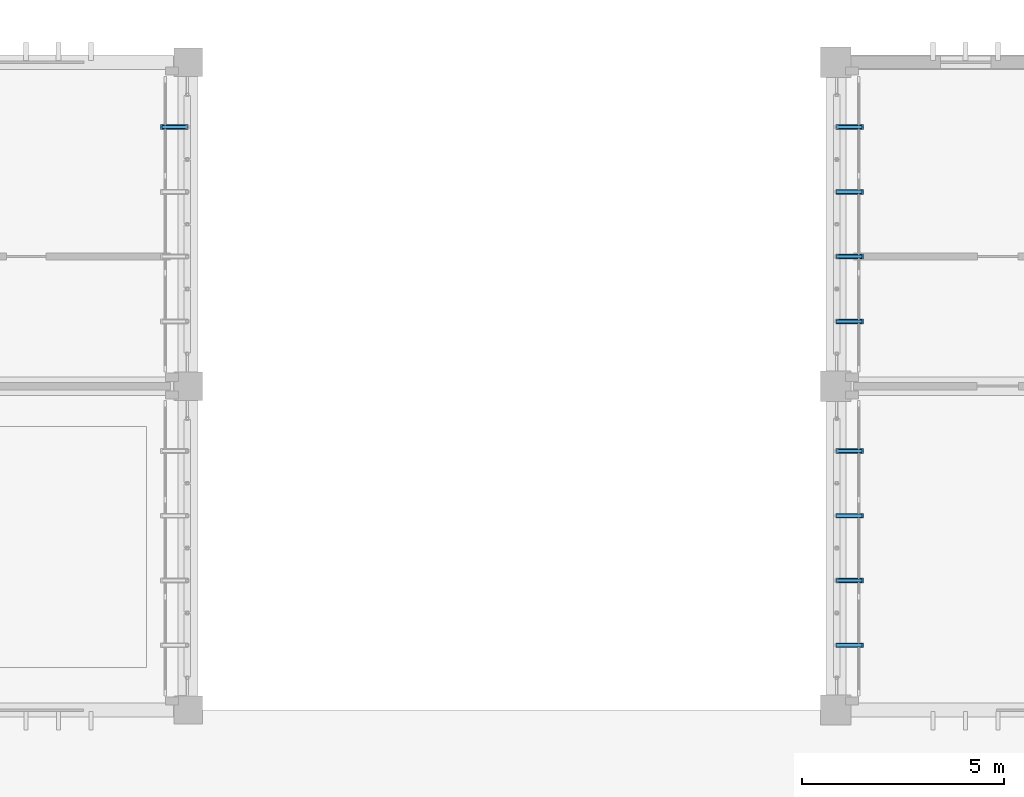
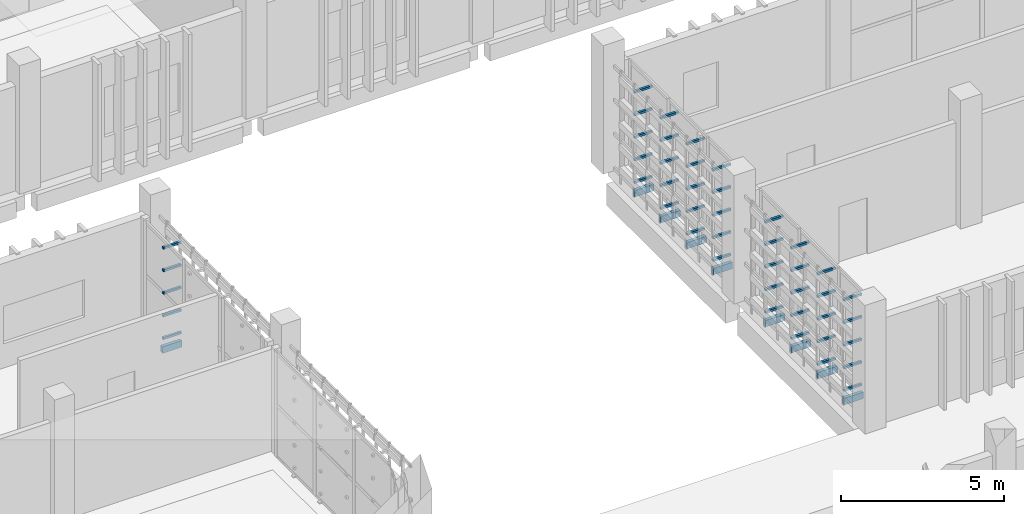
# One storey, part 102 of 117: 54 discrete accessories.
"""IFC4 building model written with IfcOpenShell, lengths in metres."""

from ifc_helpers import new_model, si_unit, direction, frame, origin, origin_2d, place, context, subcontext, project, spatial, rectangle, extrude, material, type_object, element, save


model = new_model("IFC4")

# Units and contexts
model_context = context("Model", 3, precision=1e-05, world=origin(), true_north=direction((0.0, 1.0)))
body_context = subcontext(model_context, "Body", "Model", "MODEL_VIEW")
ifc_project = project(units=[si_unit("LENGTHUNIT", "METRE"), si_unit("AREAUNIT", "SQUARE_METRE"), si_unit("VOLUMEUNIT", "CUBIC_METRE"), si_unit("PLANEANGLEUNIT", "RADIAN"), si_unit("MASSUNIT", "GRAM", prefix="KILO")], contexts=[model_context])

# Site, building, storey
site_placement = place(None, origin())
site = spatial("IfcSite", under=ifc_project, at=site_placement, CompositionType="ELEMENT")
building_placement = place(site_placement, origin())
building = spatial("IfcBuilding", under=site, at=building_placement, Name="Jelvoka-Kovrelna Polytechnic", CompositionType="ELEMENT")
storey_placement = place(building_placement, origin())
storey = spatial("IfcBuildingStorey", under=building, at=storey_placement, Name="L01", CompositionType="ELEMENT", Elevation=0.0)

# Discrete accessories
ifc_material = material(Name="Structural steel S355JR", Category="steel")
discrete_accessory_type = type_object("IfcDiscreteAccessoryType", Name="Bracket_Outrigger_S355", PredefinedType="BRACKET", material=ifc_material)
discrete_accessory_1_placement = place(storey_placement, frame((111.679931640625, 46.39990234375, 0.280029296875), z_axis=(0.0, 0.0, 1.0), x_axis=(1.0, 0.0, 0.0)))
element("IfcDiscreteAccessory", 1, at=discrete_accessory_1_placement, inside=storey, type_object=discrete_accessory_type, Name="L01 screen outrigger tie bracket BRKM-PLT-SCR-0196", PredefinedType="BRACKET", context=body_context, shape_type="SweptSolid", body=[
    extrude(rectangle(XDim=0.639892578125, YDim=0.080078125, at=origin_2d()), origin(), (0.0, 0.0, 1.0), 0.080078125),
])
discrete_accessory_2_placement = place(storey_placement, frame((111.659912109375, 46.39990234375, -0.2001953125), z_axis=(0.0, 0.0, 1.0), x_axis=(1.0, 0.0, 0.0)))
element("IfcDiscreteAccessory", 2, at=discrete_accessory_2_placement, inside=storey, type_object=discrete_accessory_type, Name="L01 screen outrigger tie bracket BRK-PLT-SCR-0196", PredefinedType="BRACKET", context=body_context, shape_type="SweptSolid", body=[
    extrude(rectangle(XDim=0.679931640625, YDim=0.1201171875, at=origin_2d()), origin(), (0.0, 0.0, 1.0), 0.239990234375),
])
for number, where, z_axis, x_axis, name in (
    (3, (111.679931640625, 46.39990234375, 1.12255859375), (0.0, 0.0, 1.0), (1.0, 0.0, 0.0), "L01 screen outrigger tie bracket BRKM-PLT-SCR-0197"),
    (4, (111.679931640625, 46.39990234375, 1.96484375), (0.0, 0.0, 1.0), (1.0, 0.0, 0.0), "L01 screen outrigger tie bracket BRKM-PLT-SCR-0198"),
    (5, (111.679931640625, 46.39990234375, 2.807373046875), (0.0, 0.0, 1.0), (1.0, 0.0, 0.0), "L01 screen outrigger tie bracket BRKM-PLT-SCR-0199"),
    (6, (111.679931640625, 46.39990234375, 3.64990234375), (0.0, 0.0, 1.0), (1.0, 0.0, 0.0), "L01 screen outrigger tie bracket BRKM-PLT-SCR-0200"),
    (7, (128.320068359375, 33.60009765625, 0.280029296875), (0.0, 0.0, 1.0), (1.0, 0.0, 0.0), "L01 screen outrigger tie bracket BRKM-PLT-SCR-0421"),
):
    element("IfcDiscreteAccessory", number, at=place(storey_placement, frame(where, z_axis=z_axis, x_axis=x_axis)), inside=storey, type_object=discrete_accessory_type, Name=name, PredefinedType="BRACKET", context=body_context, shape_type="SweptSolid", body=[
        extrude(rectangle(XDim=0.639892578125, YDim=0.080078125, at=origin_2d()), origin(), (0.0, 0.0, 1.0), 0.080078125),
    ])
discrete_accessory_3_placement = place(storey_placement, frame((128.340087890625, 33.60009765625, -0.2001953125), z_axis=(0.0, 0.0, 1.0), x_axis=(1.0, 0.0, 0.0)))
element("IfcDiscreteAccessory", 8, at=discrete_accessory_3_placement, inside=storey, type_object=discrete_accessory_type, Name="L01 screen outrigger tie bracket BRK-PLT-SCR-0421", PredefinedType="BRACKET", context=body_context, shape_type="SweptSolid", body=[
    extrude(rectangle(XDim=0.679931640625, YDim=0.1201171875, at=origin_2d()), origin(), (0.0, 0.0, 1.0), 0.239990234375),
])
for number, where, z_axis, x_axis, name in (
    (9, (128.320068359375, 33.60009765625, 1.12255859375), (0.0, 0.0, 1.0), (1.0, 0.0, 0.0), "L01 screen outrigger tie bracket BRKM-PLT-SCR-0422"),
    (10, (128.320068359375, 33.60009765625, 1.96484375), (0.0, 0.0, 1.0), (1.0, 0.0, 0.0), "L01 screen outrigger tie bracket BRKM-PLT-SCR-0423"),
    (11, (128.320068359375, 33.60009765625, 2.807373046875), (0.0, 0.0, 1.0), (1.0, 0.0, 0.0), "L01 screen outrigger tie bracket BRKM-PLT-SCR-0424"),
    (12, (128.320068359375, 33.60009765625, 3.64990234375), (0.0, 0.0, 1.0), (1.0, 0.0, 0.0), "L01 screen outrigger tie bracket BRKM-PLT-SCR-0425"),
    (13, (128.320068359375, 35.199951171875, 0.280029296875), (0.0, 0.0, 1.0), (1.0, 0.0, 0.0), "L01 screen outrigger tie bracket BRKM-PLT-SCR-0426"),
):
    element("IfcDiscreteAccessory", number, at=place(storey_placement, frame(where, z_axis=z_axis, x_axis=x_axis)), inside=storey, type_object=discrete_accessory_type, Name=name, PredefinedType="BRACKET", context=body_context, shape_type="SweptSolid", body=[
        extrude(rectangle(XDim=0.639892578125, YDim=0.080078125, at=origin_2d()), origin(), (0.0, 0.0, 1.0), 0.080078125),
    ])
discrete_accessory_4_placement = place(storey_placement, frame((128.340087890625, 35.199951171875, -0.2001953125), z_axis=(0.0, 0.0, 1.0), x_axis=(1.0, 0.0, 0.0)))
element("IfcDiscreteAccessory", 14, at=discrete_accessory_4_placement, inside=storey, type_object=discrete_accessory_type, Name="L01 screen outrigger tie bracket BRK-PLT-SCR-0426", PredefinedType="BRACKET", context=body_context, shape_type="SweptSolid", body=[
    extrude(rectangle(XDim=0.679931640625, YDim=0.1201171875, at=origin_2d()), origin(), (0.0, 0.0, 1.0), 0.239990234375),
])
for number, where, z_axis, x_axis, name in (
    (15, (128.320068359375, 35.199951171875, 1.12255859375), (0.0, 0.0, 1.0), (1.0, 0.0, 0.0), "L01 screen outrigger tie bracket BRKM-PLT-SCR-0427"),
    (16, (128.320068359375, 35.199951171875, 1.96484375), (0.0, 0.0, 1.0), (1.0, 0.0, 0.0), "L01 screen outrigger tie bracket BRKM-PLT-SCR-0428"),
    (17, (128.320068359375, 35.199951171875, 2.807373046875), (0.0, 0.0, 1.0), (1.0, 0.0, 0.0), "L01 screen outrigger tie bracket BRKM-PLT-SCR-0429"),
    (18, (128.320068359375, 35.199951171875, 3.64990234375), (0.0, 0.0, 1.0), (1.0, 0.0, 0.0), "L01 screen outrigger tie bracket BRKM-PLT-SCR-0430"),
    (19, (128.320068359375, 36.800048828125, 0.280029296875), (0.0, 0.0, 1.0), (1.0, 0.0, 0.0), "L01 screen outrigger tie bracket BRKM-PLT-SCR-0431"),
):
    element("IfcDiscreteAccessory", number, at=place(storey_placement, frame(where, z_axis=z_axis, x_axis=x_axis)), inside=storey, type_object=discrete_accessory_type, Name=name, PredefinedType="BRACKET", context=body_context, shape_type="SweptSolid", body=[
        extrude(rectangle(XDim=0.639892578125, YDim=0.080078125, at=origin_2d()), origin(), (0.0, 0.0, 1.0), 0.080078125),
    ])
discrete_accessory_5_placement = place(storey_placement, frame((128.340087890625, 36.800048828125, -0.2001953125), z_axis=(0.0, 0.0, 1.0), x_axis=(1.0, 0.0, 0.0)))
element("IfcDiscreteAccessory", 20, at=discrete_accessory_5_placement, inside=storey, type_object=discrete_accessory_type, Name="L01 screen outrigger tie bracket BRK-PLT-SCR-0431", PredefinedType="BRACKET", context=body_context, shape_type="SweptSolid", body=[
    extrude(rectangle(XDim=0.679931640625, YDim=0.1201171875, at=origin_2d()), origin(), (0.0, 0.0, 1.0), 0.239990234375),
])
for number, where, z_axis, x_axis, name in (
    (21, (128.320068359375, 36.800048828125, 1.12255859375), (0.0, 0.0, 1.0), (1.0, 0.0, 0.0), "L01 screen outrigger tie bracket BRKM-PLT-SCR-0432"),
    (22, (128.320068359375, 36.800048828125, 1.96484375), (0.0, 0.0, 1.0), (1.0, 0.0, 0.0), "L01 screen outrigger tie bracket BRKM-PLT-SCR-0433"),
    (23, (128.320068359375, 36.800048828125, 2.807373046875), (0.0, 0.0, 1.0), (1.0, 0.0, 0.0), "L01 screen outrigger tie bracket BRKM-PLT-SCR-0434"),
    (24, (128.320068359375, 36.800048828125, 3.64990234375), (0.0, 0.0, 1.0), (1.0, 0.0, 0.0), "L01 screen outrigger tie bracket BRKM-PLT-SCR-0435"),
    (25, (128.320068359375, 38.39990234375, 0.280029296875), (0.0, 0.0, 1.0), (1.0, 0.0, 0.0), "L01 screen outrigger tie bracket BRKM-PLT-SCR-0436"),
):
    element("IfcDiscreteAccessory", number, at=place(storey_placement, frame(where, z_axis=z_axis, x_axis=x_axis)), inside=storey, type_object=discrete_accessory_type, Name=name, PredefinedType="BRACKET", context=body_context, shape_type="SweptSolid", body=[
        extrude(rectangle(XDim=0.639892578125, YDim=0.080078125, at=origin_2d()), origin(), (0.0, 0.0, 1.0), 0.080078125),
    ])
discrete_accessory_6_placement = place(storey_placement, frame((128.340087890625, 38.39990234375, -0.2001953125), z_axis=(0.0, 0.0, 1.0), x_axis=(1.0, 0.0, 0.0)))
element("IfcDiscreteAccessory", 26, at=discrete_accessory_6_placement, inside=storey, type_object=discrete_accessory_type, Name="L01 screen outrigger tie bracket BRK-PLT-SCR-0436", PredefinedType="BRACKET", context=body_context, shape_type="SweptSolid", body=[
    extrude(rectangle(XDim=0.679931640625, YDim=0.1201171875, at=origin_2d()), origin(), (0.0, 0.0, 1.0), 0.239990234375),
])
for number, where, z_axis, x_axis, name in (
    (27, (128.320068359375, 38.39990234375, 1.12255859375), (0.0, 0.0, 1.0), (1.0, 0.0, 0.0), "L01 screen outrigger tie bracket BRKM-PLT-SCR-0437"),
    (28, (128.320068359375, 38.39990234375, 1.96484375), (0.0, 0.0, 1.0), (1.0, 0.0, 0.0), "L01 screen outrigger tie bracket BRKM-PLT-SCR-0438"),
    (29, (128.320068359375, 38.39990234375, 2.807373046875), (0.0, 0.0, 1.0), (1.0, 0.0, 0.0), "L01 screen outrigger tie bracket BRKM-PLT-SCR-0439"),
    (30, (128.320068359375, 38.39990234375, 3.64990234375), (0.0, 0.0, 1.0), (1.0, 0.0, 0.0), "L01 screen outrigger tie bracket BRKM-PLT-SCR-0440"),
    (31, (128.320068359375, 41.60009765625, 0.280029296875), (0.0, 0.0, 1.0), (1.0, 0.0, 0.0), "L01 screen outrigger tie bracket BRKM-PLT-SCR-0441"),
):
    element("IfcDiscreteAccessory", number, at=place(storey_placement, frame(where, z_axis=z_axis, x_axis=x_axis)), inside=storey, type_object=discrete_accessory_type, Name=name, PredefinedType="BRACKET", context=body_context, shape_type="SweptSolid", body=[
        extrude(rectangle(XDim=0.639892578125, YDim=0.080078125, at=origin_2d()), origin(), (0.0, 0.0, 1.0), 0.080078125),
    ])
discrete_accessory_7_placement = place(storey_placement, frame((128.340087890625, 41.60009765625, -0.2001953125), z_axis=(0.0, 0.0, 1.0), x_axis=(1.0, 0.0, 0.0)))
element("IfcDiscreteAccessory", 32, at=discrete_accessory_7_placement, inside=storey, type_object=discrete_accessory_type, Name="L01 screen outrigger tie bracket BRK-PLT-SCR-0441", PredefinedType="BRACKET", context=body_context, shape_type="SweptSolid", body=[
    extrude(rectangle(XDim=0.679931640625, YDim=0.1201171875, at=origin_2d()), origin(), (0.0, 0.0, 1.0), 0.239990234375),
])
for number, where, z_axis, x_axis, name in (
    (33, (128.320068359375, 41.60009765625, 1.12255859375), (0.0, 0.0, 1.0), (1.0, 0.0, 0.0), "L01 screen outrigger tie bracket BRKM-PLT-SCR-0442"),
    (34, (128.320068359375, 41.60009765625, 1.96484375), (0.0, 0.0, 1.0), (1.0, 0.0, 0.0), "L01 screen outrigger tie bracket BRKM-PLT-SCR-0443"),
    (35, (128.320068359375, 41.60009765625, 2.807373046875), (0.0, 0.0, 1.0), (1.0, 0.0, 0.0), "L01 screen outrigger tie bracket BRKM-PLT-SCR-0444"),
    (36, (128.320068359375, 41.60009765625, 3.64990234375), (0.0, 0.0, 1.0), (1.0, 0.0, 0.0), "L01 screen outrigger tie bracket BRKM-PLT-SCR-0445"),
    (37, (128.320068359375, 43.199951171875, 0.280029296875), (0.0, 0.0, 1.0), (1.0, 0.0, 0.0), "L01 screen outrigger tie bracket BRKM-PLT-SCR-0446"),
):
    element("IfcDiscreteAccessory", number, at=place(storey_placement, frame(where, z_axis=z_axis, x_axis=x_axis)), inside=storey, type_object=discrete_accessory_type, Name=name, PredefinedType="BRACKET", context=body_context, shape_type="SweptSolid", body=[
        extrude(rectangle(XDim=0.639892578125, YDim=0.080078125, at=origin_2d()), origin(), (0.0, 0.0, 1.0), 0.080078125),
    ])
discrete_accessory_8_placement = place(storey_placement, frame((128.340087890625, 43.199951171875, -0.2001953125), z_axis=(0.0, 0.0, 1.0), x_axis=(1.0, 0.0, 0.0)))
element("IfcDiscreteAccessory", 38, at=discrete_accessory_8_placement, inside=storey, type_object=discrete_accessory_type, Name="L01 screen outrigger tie bracket BRK-PLT-SCR-0446", PredefinedType="BRACKET", context=body_context, shape_type="SweptSolid", body=[
    extrude(rectangle(XDim=0.679931640625, YDim=0.1201171875, at=origin_2d()), origin(), (0.0, 0.0, 1.0), 0.239990234375),
])
for number, where, z_axis, x_axis, name in (
    (39, (128.320068359375, 43.199951171875, 1.12255859375), (0.0, 0.0, 1.0), (1.0, 0.0, 0.0), "L01 screen outrigger tie bracket BRKM-PLT-SCR-0447"),
    (40, (128.320068359375, 43.199951171875, 1.96484375), (0.0, 0.0, 1.0), (1.0, 0.0, 0.0), "L01 screen outrigger tie bracket BRKM-PLT-SCR-0448"),
    (41, (128.320068359375, 43.199951171875, 2.807373046875), (0.0, 0.0, 1.0), (1.0, 0.0, 0.0), "L01 screen outrigger tie bracket BRKM-PLT-SCR-0449"),
    (42, (128.320068359375, 43.199951171875, 3.64990234375), (0.0, 0.0, 1.0), (1.0, 0.0, 0.0), "L01 screen outrigger tie bracket BRKM-PLT-SCR-0450"),
    (43, (128.320068359375, 44.800048828125, 0.280029296875), (0.0, 0.0, 1.0), (1.0, 0.0, 0.0), "L01 screen outrigger tie bracket BRKM-PLT-SCR-0451"),
):
    element("IfcDiscreteAccessory", number, at=place(storey_placement, frame(where, z_axis=z_axis, x_axis=x_axis)), inside=storey, type_object=discrete_accessory_type, Name=name, PredefinedType="BRACKET", context=body_context, shape_type="SweptSolid", body=[
        extrude(rectangle(XDim=0.639892578125, YDim=0.080078125, at=origin_2d()), origin(), (0.0, 0.0, 1.0), 0.080078125),
    ])
discrete_accessory_9_placement = place(storey_placement, frame((128.340087890625, 44.800048828125, -0.2001953125), z_axis=(0.0, 0.0, 1.0), x_axis=(1.0, 0.0, 0.0)))
element("IfcDiscreteAccessory", 44, at=discrete_accessory_9_placement, inside=storey, type_object=discrete_accessory_type, Name="L01 screen outrigger tie bracket BRK-PLT-SCR-0451", PredefinedType="BRACKET", context=body_context, shape_type="SweptSolid", body=[
    extrude(rectangle(XDim=0.679931640625, YDim=0.1201171875, at=origin_2d()), origin(), (0.0, 0.0, 1.0), 0.239990234375),
])
for number, where, z_axis, x_axis, name in (
    (45, (128.320068359375, 44.800048828125, 1.12255859375), (0.0, 0.0, 1.0), (1.0, 0.0, 0.0), "L01 screen outrigger tie bracket BRKM-PLT-SCR-0452"),
    (46, (128.320068359375, 44.800048828125, 1.96484375), (0.0, 0.0, 1.0), (1.0, 0.0, 0.0), "L01 screen outrigger tie bracket BRKM-PLT-SCR-0453"),
    (47, (128.320068359375, 44.800048828125, 2.807373046875), (0.0, 0.0, 1.0), (1.0, 0.0, 0.0), "L01 screen outrigger tie bracket BRKM-PLT-SCR-0454"),
    (48, (128.320068359375, 44.800048828125, 3.64990234375), (0.0, 0.0, 1.0), (1.0, 0.0, 0.0), "L01 screen outrigger tie bracket BRKM-PLT-SCR-0455"),
    (49, (128.320068359375, 46.39990234375, 0.280029296875), (0.0, 0.0, 1.0), (1.0, 0.0, 0.0), "L01 screen outrigger tie bracket BRKM-PLT-SCR-0456"),
):
    element("IfcDiscreteAccessory", number, at=place(storey_placement, frame(where, z_axis=z_axis, x_axis=x_axis)), inside=storey, type_object=discrete_accessory_type, Name=name, PredefinedType="BRACKET", context=body_context, shape_type="SweptSolid", body=[
        extrude(rectangle(XDim=0.639892578125, YDim=0.080078125, at=origin_2d()), origin(), (0.0, 0.0, 1.0), 0.080078125),
    ])
discrete_accessory_10_placement = place(storey_placement, frame((128.340087890625, 46.39990234375, -0.2001953125), z_axis=(0.0, 0.0, 1.0), x_axis=(1.0, 0.0, 0.0)))
element("IfcDiscreteAccessory", 50, at=discrete_accessory_10_placement, inside=storey, type_object=discrete_accessory_type, Name="L01 screen outrigger tie bracket BRK-PLT-SCR-0456", PredefinedType="BRACKET", context=body_context, shape_type="SweptSolid", body=[
    extrude(rectangle(XDim=0.679931640625, YDim=0.1201171875, at=origin_2d()), origin(), (0.0, 0.0, 1.0), 0.239990234375),
])
for number, where, z_axis, x_axis, name in (
    (51, (128.320068359375, 46.39990234375, 1.12255859375), (0.0, 0.0, 1.0), (1.0, 0.0, 0.0), "L01 screen outrigger tie bracket BRKM-PLT-SCR-0457"),
    (52, (128.320068359375, 46.39990234375, 1.96484375), (0.0, 0.0, 1.0), (1.0, 0.0, 0.0), "L01 screen outrigger tie bracket BRKM-PLT-SCR-0458"),
    (53, (128.320068359375, 46.39990234375, 2.807373046875), (0.0, 0.0, 1.0), (1.0, 0.0, 0.0), "L01 screen outrigger tie bracket BRKM-PLT-SCR-0459"),
    (54, (128.320068359375, 46.39990234375, 3.64990234375), (0.0, 0.0, 1.0), (1.0, 0.0, 0.0), "L01 screen outrigger tie bracket BRKM-PLT-SCR-0460"),
):
    element("IfcDiscreteAccessory", number, at=place(storey_placement, frame(where, z_axis=z_axis, x_axis=x_axis)), inside=storey, type_object=discrete_accessory_type, Name=name, PredefinedType="BRACKET", context=body_context, shape_type="SweptSolid", body=[
        extrude(rectangle(XDim=0.639892578125, YDim=0.080078125, at=origin_2d()), origin(), (0.0, 0.0, 1.0), 0.080078125),
    ])

save(model, "model.ifc")
